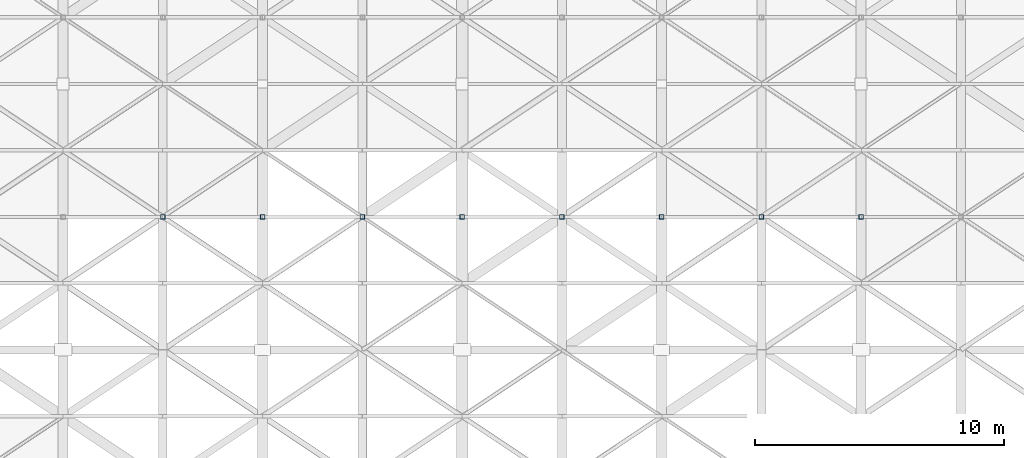
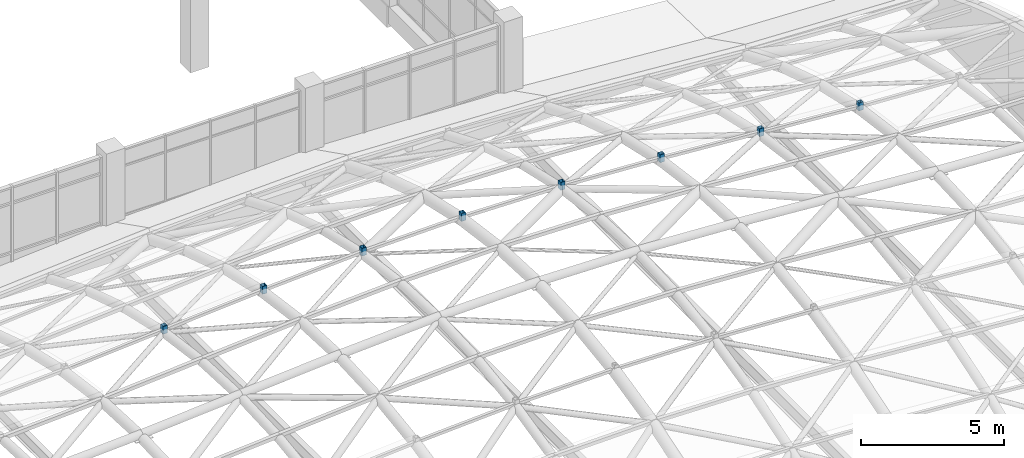
# One storey, part 43 of 72: 8 members.
"""IFC4 building model written with IfcOpenShell, lengths in metres."""

from ifc_helpers import new_model, si_unit, direction, frame, origin, origin_2d, place, context, subcontext, project, spatial, hollow_rectangle, extrude, material, material_profile, profile_set, type_object, element, save


model = new_model("IFC4")

# Units and contexts
model_context = context("Model", 3, precision=1e-05, world=origin(), true_north=direction((0.0, 1.0)))
body_context = subcontext(model_context, "Body", "Model", "MODEL_VIEW")
ifc_project = project(units=[si_unit("LENGTHUNIT", "METRE"), si_unit("AREAUNIT", "SQUARE_METRE"), si_unit("VOLUMEUNIT", "CUBIC_METRE"), si_unit("PLANEANGLEUNIT", "RADIAN"), si_unit("MASSUNIT", "GRAM", prefix="KILO")], contexts=[model_context])

# Site, building, storey
site_placement = place(None, origin())
site = spatial("IfcSite", under=ifc_project, at=site_placement, CompositionType="ELEMENT")
building_placement = place(site_placement, origin())
building = spatial("IfcBuilding", under=site, at=building_placement, Name="Tenunan Teduh Sports Hall", CompositionType="ELEMENT")
storey_placement = place(building_placement, frame((0.0, 0.0, 15.0)))
storey = spatial("IfcBuildingStorey", under=building, at=storey_placement, Name="L03", CompositionType="ELEMENT", Elevation=15.0)

# Members
ifc_material = material(Name="Steel S355", Category="steel")
ifc_material_profile = material_profile(ifc_material, hollow_rectangle(XDim=0.179931640625, YDim=0.179931640625, WallThickness=0.010009765625, at=origin_2d()), Name="SHS 180x180x10.0")
ifc_profile_set = profile_set([ifc_material_profile], Name="Steel S355")
member_type = type_object("IfcMemberType", Name="MEM-ST-SHS180", PredefinedType="STRUT", material=ifc_profile_set)
for number, where, z_axis, x_axis, name in (
    (1, (134.0, 35.333251953125, 4.1318359375), (0.0, 0.0, 1.0), (1.0, 0.0, 0.0), "MEM-VS-03-L03-0027"),
    (2, (138.0, 35.333251953125, 4.4287109375), (0.0, 0.0, 1.0), (1.0, 0.0, 0.0), "MEM-VS-03-L03-0034"),
    (3, (142.0, 35.333251953125, 4.6513671875), (0.0, 0.0, 1.0), (1.0, 0.0, 0.0), "MEM-VS-03-L03-0041"),
    (4, (146.0, 35.333251953125, 4.7294921875), (0.0, 0.0, 1.0), (1.0, 0.0, 0.0), "MEM-VS-03-L03-0048"),
    (5, (150.0, 35.333251953125, 4.6513671875), (0.0, 0.0, 1.0), (1.0, 0.0, 0.0), "MEM-VS-03-L03-0055"),
    (6, (154.0, 35.333251953125, 4.4287109375), (0.0, 0.0, 1.0), (1.0, 0.0, 0.0), "MEM-VS-03-L03-0062"),
    (7, (158.0, 35.333251953125, 4.1318359375), (0.0, 0.0, 1.0), (1.0, 0.0, 0.0), "MEM-VS-03-L03-0070"),
    (8, (162.0, 35.333251953125, 3.8310546875), (0.0, 0.0, 1.0), (1.0, 0.0, 0.0), "MEM-VS-03-L03-0078"),
):
    element("IfcMember", number, at=place(storey_placement, frame(where, z_axis=z_axis, x_axis=x_axis)), inside=storey, type_object=member_type, Name=name, PredefinedType="STRUT", context=body_context, shape_type="SweptSolid", body=[
        extrude(hollow_rectangle(XDim=0.179931640625, YDim=0.179931640625, WallThickness=0.010009765625, at=origin_2d()), origin(), (0.0, 0.0, 1.0), 0.329833984375),
    ])

save(model, "model.ifc")
